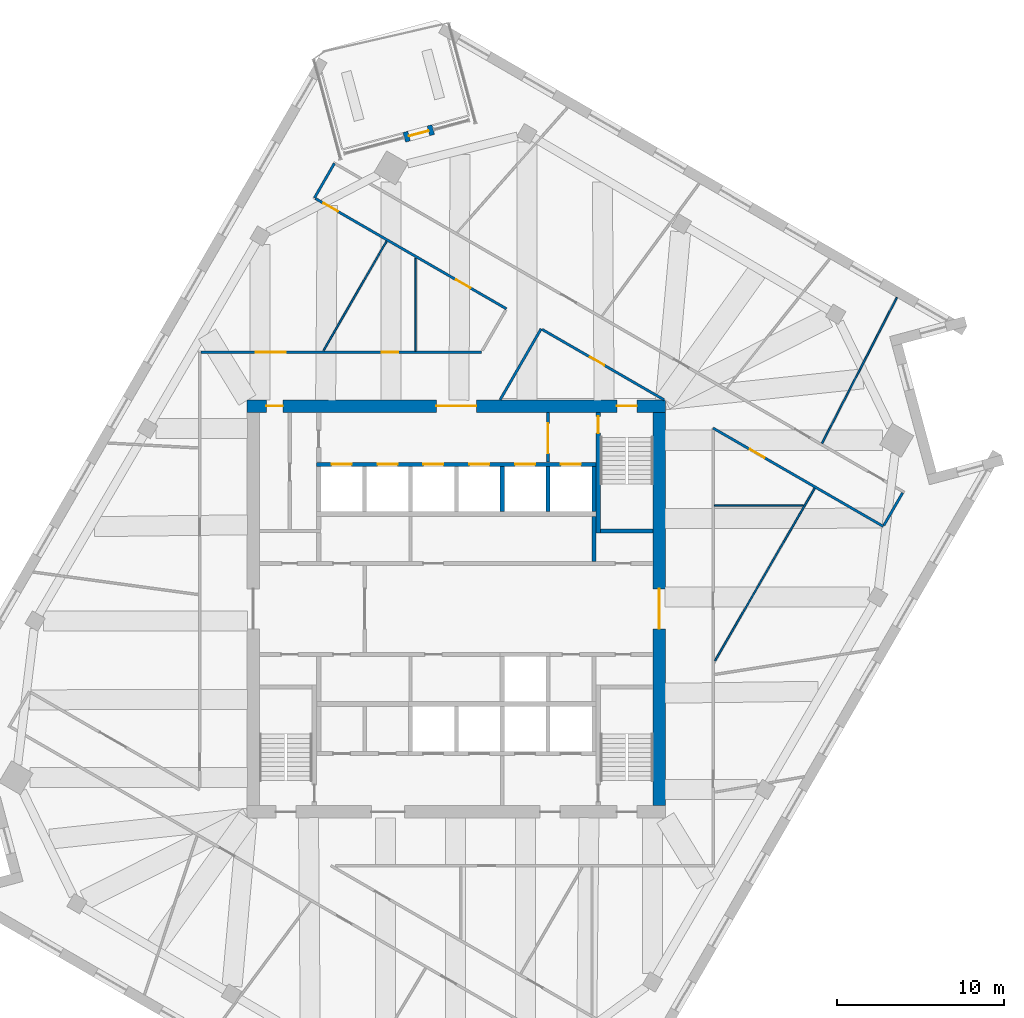
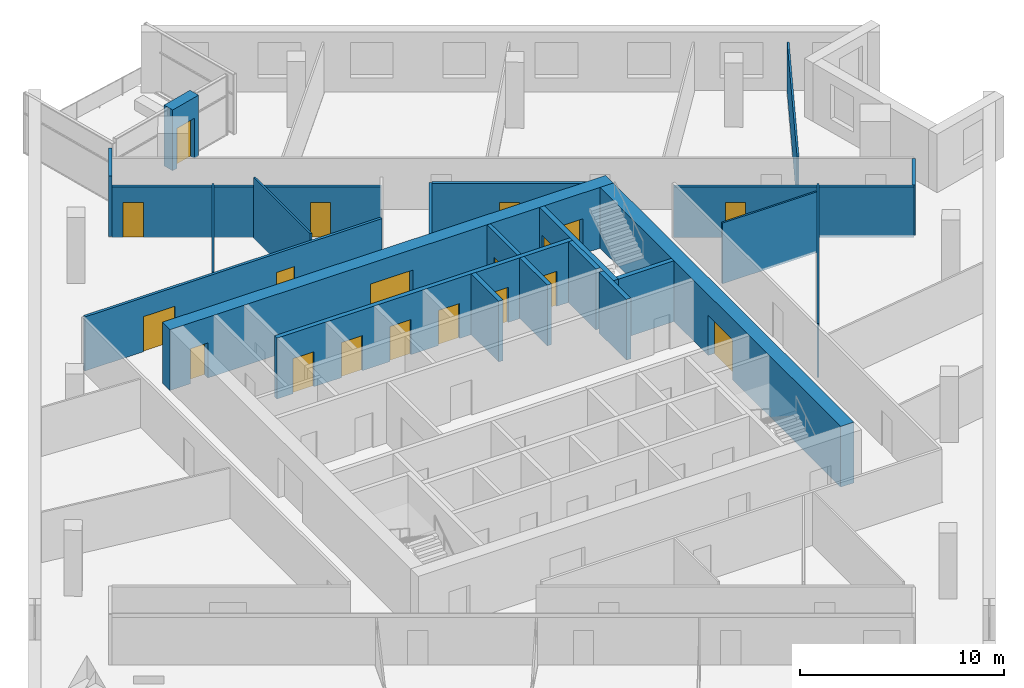
# One storey, part 10 of 13: 23 walls, 19 doors, 19 openings.
"""IFC4 building model written with IfcOpenShell, lengths in metres."""

from ifc_helpers import new_model, si_unit, direction, frame, frame_2d, origin, place, context, subcontext, project, spatial, rectangle, extrude, material, layer, layer_set, type_object, element, fill, save


model = new_model("IFC4")

# Units and contexts
model_context = context("Model", 3, precision=1e-05, world=origin(), true_north=direction((0.0, 1.0)))
body_context = subcontext(model_context, "Body", "Model", "MODEL_VIEW")
ifc_project = project(units=[si_unit("LENGTHUNIT", "METRE"), si_unit("AREAUNIT", "SQUARE_METRE"), si_unit("VOLUMEUNIT", "CUBIC_METRE"), si_unit("PLANEANGLEUNIT", "RADIAN"), si_unit("MASSUNIT", "GRAM", prefix="KILO")], contexts=[model_context])

# Site, building, storey
site_placement = place(None, origin())
site = spatial("IfcSite", under=ifc_project, at=site_placement, CompositionType="ELEMENT")
building_placement = place(site_placement, origin())
building = spatial("IfcBuilding", under=site, at=building_placement, Name="Dilmun Exchange Tower", CompositionType="ELEMENT")
storey_placement = place(building_placement, frame((0.0, 0.0, 262.89990234375)))
storey = spatial("IfcBuildingStorey", under=building, at=storey_placement, Name="L62", CompositionType="ELEMENT", Elevation=262.89990234375)

# Wall, opening, door
ifc_material_1 = material(Name="Concrete C40/50", Category="concrete")
ifc_layer_1 = layer(ifc_material_1, 0.199951171875)
ifc_layer_set_1 = layer_set([ifc_layer_1], Name="Concrete C40/50")
wall_type_1 = type_object("IfcWallType", Name="Core partition wall 200", PredefinedType="PARTITIONING", material=ifc_layer_set_1)
wall_1_placement = place(storey_placement, frame((5.5, 8.804931640625, 0.0), z_axis=(0.0, 0.0, 1.0), x_axis=(0.0, 1.0, 0.0)))
wall_1 = element("IfcWall", 1, at=wall_1_placement, inside=storey, type_object=wall_type_1, Name="L62 core partition wall 20", PredefinedType="PARTITIONING", context=body_context, shape_type="SweptSolid", body=[
    extrude(rectangle(XDim=2.989990234375, YDim=0.199951171875, at=frame_2d((1.4951171875, 0.0))), origin(), (0.0, 0.0, 1.0), 3.64013671875),
])
opening_1_placement = place(wall_1_placement, frame((0.532470703125, 0.0, 0.0)))
opening_1 = element("IfcOpeningElement", 2, at=opening_1_placement, cuts=wall_1, Name="Opening CD5", PredefinedType="OPENING", context=body_context, shape_type="SweptSolid", body=[
    extrude(rectangle(XDim=1.800048828125, YDim=2.10009765625, at=frame_2d((0.89990234375, 1.050048828125))), frame((0.0, 0.10986328125, 0.0), z_axis=(0.0, -1.0, 0.0), x_axis=(1.0, 0.0, 0.0)), (0.0, 0.0, 1.0), 0.219970703125),
])
ifc_material_2 = material(Name="Fire-rated steel door set", Category="steel")
door_type_1 = type_object("IfcDoorType", Name="Stair exit door 1800x2100", OperationType="SINGLE_SWING_LEFT", PredefinedType="DOOR", material=ifc_material_2)
door_1_placement = place(opening_1_placement, origin())
door_1 = element("IfcDoor", 3, at=door_1_placement, inside=storey, type_object=door_type_1, Name="L62 door Lift lobby east", OperationType="SINGLE_SWING_LEFT", OverallHeight=2.10009765625, OverallWidth=1.800048828125, PredefinedType="DOOR", context=body_context, shape_type="SweptSolid", body=[
    extrude(rectangle(XDim=1.800048828125, YDim=2.10009765625, at=frame_2d((0.89990234375, 1.050048828125))), frame((0.0, 0.02490234375, 0.0), z_axis=(0.0, -1.0, 0.0), x_axis=(1.0, 0.0, 0.0)), (0.0, 0.0, 1.0), 0.050048828125),
])
fill(opening_1, door_1)

# Wall
ifc_layer_2 = layer(ifc_material_1, 0.25)
ifc_layer_set_2 = layer_set([ifc_layer_2], Name="Concrete C40/50")
wall_type_2 = type_object("IfcWallType", Name="Core partition wall 250", PredefinedType="PARTITIONING", material=ifc_layer_set_2)
wall_2_placement = place(storey_placement, frame((8.25, 2.85498046875, 0.0), z_axis=(0.0, 0.0, 1.0), x_axis=(0.0, 1.0, 0.0)))
element("IfcWall", 4, at=wall_2_placement, inside=storey, type_object=wall_type_2, Name="L62 core partition wall 15", PredefinedType="PARTITIONING", context=body_context, shape_type="SweptSolid", body=[
    extrude(rectangle(XDim=2.68994140625, YDim=0.25, at=frame_2d((1.344970703125, 0.0))), origin(), (0.0, 0.0, 1.0), 3.64013671875),
])

# Wall, openings, doors
ifc_material_3 = material(Name="Concrete C50/60", Category="concrete")
ifc_layer_3 = layer(ifc_material_3, 0.75)
ifc_layer_set_3 = layer_set([ifc_layer_3], Name="Concrete C50/60")
wall_type_3 = type_object("IfcWallType", Name="Core shear wall 750 Concrete C50/60", PredefinedType="SHEAR", material=ifc_layer_set_3)
wall_3_placement = place(storey_placement, frame((-12.550048828125, 12.175048828125, 0.0), z_axis=(0.0, 0.0, 1.0), x_axis=(1.0, 0.0, 0.0)))
wall_3 = element("IfcWall", 5, at=wall_3_placement, inside=storey, type_object=wall_type_3, Name="L62 core shear wall N", PredefinedType="SHEAR", context=body_context, shape_type="SweptSolid", body=[
    extrude(rectangle(XDim=25.10009765625, YDim=0.75, at=frame_2d((12.550048828125, 0.0))), origin(), (0.0, 0.0, 1.0), 3.64013671875),
])
opening_2_placement = place(wall_3_placement, frame((11.35009765625, 0.0, 0.0)))
opening_2 = element("IfcOpeningElement", 6, at=opening_2_placement, cuts=wall_3, Name="Opening CD1", PredefinedType="OPENING", context=body_context, shape_type="SweptSolid", body=[
    extrude(rectangle(XDim=2.39990234375, YDim=2.39990234375, at=frame_2d((1.199951171875, 1.199951171875))), frame((0.0, 0.385009765625, 0.0), z_axis=(0.0, -1.0, 0.0), x_axis=(1.0, 0.0, 0.0)), (0.0, 0.0, 1.0), 0.77001953125),
])
opening_3_placement = place(wall_3_placement, frame((22.175048828125, 0.0, 0.0)))
opening_3 = element("IfcOpeningElement", 7, at=opening_3_placement, cuts=wall_3, Name="Opening CD3", PredefinedType="OPENING", context=body_context, shape_type="SweptSolid", body=[
    extrude(rectangle(XDim=1.199951171875, YDim=2.10009765625, at=frame_2d((0.60009765625, 1.050048828125))), frame((0.0, 0.385009765625, 0.0), z_axis=(0.0, -1.0, 0.0), x_axis=(1.0, 0.0, 0.0)), (0.0, 0.0, 1.0), 0.77001953125),
])
opening_4_placement = place(wall_3_placement, frame((1.14990234375, 0.0, 0.0)))
opening_4 = element("IfcOpeningElement", 8, at=opening_4_placement, cuts=wall_3, Name="Opening CD4", PredefinedType="OPENING", context=body_context, shape_type="SweptSolid", body=[
    extrude(rectangle(XDim=1.0, YDim=2.10009765625, at=frame_2d((0.5, 1.050048828125))), frame((0.0, 0.385009765625, 0.0), z_axis=(0.0, -1.0, 0.0), x_axis=(1.0, 0.0, 0.0)), (0.0, 0.0, 1.0), 0.77001953125),
])
door_type_2 = type_object("IfcDoorType", Name="Core lobby door 2400x2400", OperationType="DOUBLE_DOOR_DOUBLE_SWING", PredefinedType="DOOR", material=ifc_material_2)
door_2_placement = place(opening_2_placement, origin())
door_2 = element("IfcDoor", 9, at=door_2_placement, inside=storey, type_object=door_type_2, Name="L62 door North lift lobby", OperationType="SINGLE_SWING_LEFT", OverallHeight=2.39990234375, OverallWidth=2.39990234375, PredefinedType="DOOR", context=body_context, shape_type="SweptSolid", body=[
    extrude(rectangle(XDim=2.39990234375, YDim=2.39990234375, at=frame_2d((1.199951171875, 1.199951171875))), frame((0.0, 0.02490234375, 0.0), z_axis=(0.0, -1.0, 0.0), x_axis=(1.0, 0.0, 0.0)), (0.0, 0.0, 1.0), 0.050048828125),
])
fill(opening_2, door_2)
door_type_3 = type_object("IfcDoorType", Name="Core room door 1000x2100", OperationType="SINGLE_SWING_LEFT", PredefinedType="DOOR", material=ifc_material_2)
door_3_placement = place(opening_4_placement, origin())
door_3 = element("IfcDoor", 10, at=door_3_placement, inside=storey, type_object=door_type_3, Name="L62 door North-west core rooms", OperationType="SINGLE_SWING_LEFT", OverallHeight=2.10009765625, OverallWidth=1.0, PredefinedType="DOOR", context=body_context, shape_type="SweptSolid", body=[
    extrude(rectangle(XDim=1.0, YDim=2.10009765625, at=frame_2d((0.5, 1.050048828125))), frame((0.0, 0.02490234375, 0.0), z_axis=(0.0, -1.0, 0.0), x_axis=(1.0, 0.0, 0.0)), (0.0, 0.0, 1.0), 0.050048828125),
])
fill(opening_4, door_3)
door_type_4 = type_object("IfcDoorType", Name="Stair exit door 1200x2100", OperationType="SINGLE_SWING_LEFT", PredefinedType="DOOR", material=ifc_material_2)
door_4_placement = place(opening_3_placement, origin())
door_4 = element("IfcDoor", 11, at=door_4_placement, inside=storey, type_object=door_type_4, Name="L62 door Stair ST1", OperationType="SINGLE_SWING_LEFT", OverallHeight=2.10009765625, OverallWidth=1.199951171875, PredefinedType="DOOR", context=body_context, shape_type="SweptSolid", body=[
    extrude(rectangle(XDim=1.199951171875, YDim=2.10009765625, at=frame_2d((0.60009765625, 1.050048828125))), frame((0.0, 0.02490234375, 0.0), z_axis=(0.0, -1.0, 0.0), x_axis=(1.0, 0.0, 0.0)), (0.0, 0.0, 1.0), 0.050048828125),
])
fill(opening_3, door_4)

# Wall, opening, door
wall_4_placement = place(storey_placement, frame((12.175048828125, -11.800048828125, 0.0), z_axis=(0.0, 0.0, 1.0), x_axis=(0.0, 1.0, 0.0)))
wall_4 = element("IfcWall", 12, at=wall_4_placement, inside=storey, type_object=wall_type_3, Name="L62 core shear wall E", PredefinedType="SHEAR", context=body_context, shape_type="SweptSolid", body=[
    extrude(rectangle(XDim=23.60009765625, YDim=0.75, at=frame_2d((11.800048828125, 0.0))), origin(), (0.0, 0.0, 1.0), 3.64013671875),
])
opening_5_placement = place(wall_4_placement, frame((10.60009765625, 0.0, 0.0)))
opening_5 = element("IfcOpeningElement", 13, at=opening_5_placement, cuts=wall_4, Name="Opening CD1", PredefinedType="OPENING", context=body_context, shape_type="SweptSolid", body=[
    extrude(rectangle(XDim=2.39990234375, YDim=2.39990234375, at=frame_2d((1.199951171875, 1.199951171875))), frame((0.0, 0.385009765625, 0.0), z_axis=(0.0, -1.0, 0.0), x_axis=(1.0, 0.0, 0.0)), (0.0, 0.0, 1.0), 0.77001953125),
])
door_5_placement = place(opening_5_placement, origin())
door_5 = element("IfcDoor", 14, at=door_5_placement, inside=storey, type_object=door_type_2, Name="L62 door Central lift lobby", OperationType="SINGLE_SWING_LEFT", OverallHeight=2.39990234375, OverallWidth=2.39990234375, PredefinedType="DOOR", context=body_context, shape_type="SweptSolid", body=[
    extrude(rectangle(XDim=2.39990234375, YDim=2.39990234375, at=frame_2d((1.199951171875, 1.199951171875))), frame((0.0, 0.02490234375, 0.0), z_axis=(0.0, -1.0, 0.0), x_axis=(1.0, 0.0, 0.0)), (0.0, 0.0, 1.0), 0.050048828125),
])
fill(opening_5, door_5)

# Wall, openings, doors
ifc_material_4 = material(Name="Corridor wall 150")
ifc_layer_4 = layer(ifc_material_4, 0.14990234375)
ifc_layer_set_4 = layer_set([ifc_layer_4], Name="Corridor wall 150")
wall_type_4 = type_object("IfcWallType", Name="Corridor wall 150", PredefinedType="PARTITIONING", material=ifc_layer_set_4)
wall_5_placement = place(storey_placement, frame((-15.324951171875, 15.39990234375, 0.0), z_axis=(0.0, 0.0, 1.0), x_axis=(1.0, 0.0, 0.0)))
wall_5 = element("IfcWall", 15, at=wall_5_placement, inside=storey, type_object=wall_type_4, Name="Corridor wall", PredefinedType="PARTITIONING", context=body_context, shape_type="SweptSolid", body=[
    extrude(rectangle(XDim=16.825927734375, YDim=0.14990234375, at=frame_2d((8.4130859375, 0.0))), origin(), (0.0, 0.0, 1.0), 3.239990234375),
])
opening_6_placement = place(wall_5_placement, frame((3.300048828125, 0.0, 0.0)))
opening_6 = element("IfcOpeningElement", 16, at=opening_6_placement, cuts=wall_5, Name="Opening TF62-D06", PredefinedType="OPENING", context=body_context, shape_type="SweptSolid", body=[
    extrude(rectangle(XDim=1.800048828125, YDim=2.10009765625, at=frame_2d((0.89990234375, 1.050048828125))), frame((0.0, 0.0849609375, 0.0), z_axis=(0.0, -1.0, 0.0), x_axis=(1.0, 0.0, 0.0)), (0.0, 0.0, 1.0), 0.169921875),
])
opening_7_placement = place(wall_5_placement, frame((10.84619140625, 0.0, 0.0)))
opening_7 = element("IfcOpeningElement", 17, at=opening_7_placement, cuts=wall_5, Name="Opening TF62-D08", PredefinedType="OPENING", context=body_context, shape_type="SweptSolid", body=[
    extrude(rectangle(XDim=1.0, YDim=2.10009765625, at=frame_2d((0.5, 1.050048828125))), frame((0.0, 0.0849609375, 0.0), z_axis=(0.0, -1.0, 0.0), x_axis=(1.0, 0.0, 0.0)), (0.0, 0.0, 1.0), 0.169921875),
])
ifc_material_5 = material(Name="Fire door 1000 x 2100")
door_type_5 = type_object("IfcDoorType", Name="Fire door 1000 x 2100", OperationType="NOTDEFINED", PredefinedType="DOOR", material=ifc_material_5)
door_6_placement = place(opening_7_placement, origin())
door_6 = element("IfcDoor", 18, at=door_6_placement, inside=storey, type_object=door_type_5, Name="Door TF62-D08", OperationType="SINGLE_SWING_RIGHT", OverallHeight=2.10009765625, OverallWidth=1.0, PredefinedType="DOOR", context=body_context, shape_type="SweptSolid", body=[
    extrude(rectangle(XDim=1.0, YDim=2.10009765625, at=frame_2d((0.5, 1.050048828125))), frame((0.0, 0.02490234375, 0.0), z_axis=(0.0, -1.0, 0.0), x_axis=(1.0, 0.0, 0.0)), (0.0, 0.0, 1.0), 0.050048828125),
])
fill(opening_7, door_6)
ifc_material_6 = material(Name="Fire door pair 1800 x 2100")
door_type_6 = type_object("IfcDoorType", Name="Fire door pair 1800 x 2100", OperationType="NOTDEFINED", PredefinedType="DOOR", material=ifc_material_6)
door_7_placement = place(opening_6_placement, origin())
door_7 = element("IfcDoor", 19, at=door_7_placement, inside=storey, type_object=door_type_6, Name="Door TF62-D06", OperationType="DOUBLE_DOOR_SINGLE_SWING", OverallHeight=2.10009765625, OverallWidth=1.800048828125, PredefinedType="DOOR", context=body_context, shape_type="SweptSolid", body=[
    extrude(rectangle(XDim=1.800048828125, YDim=2.10009765625, at=frame_2d((0.89990234375, 1.050048828125))), frame((0.0, 0.02490234375, 0.0), z_axis=(0.0, -1.0, 0.0), x_axis=(1.0, 0.0, 0.0)), (0.0, 0.0, 1.0), 0.050048828125),
])
fill(opening_6, door_7)

# Wall
wall_6_placement = place(storey_placement, frame((-8.511962890625, 24.656005859375, 0.0), z_axis=(0.0, 0.0, 1.0), x_axis=(0.499869187296, 0.866100915363, 0.0)))
element("IfcWall", 20, at=wall_6_placement, inside=storey, type_object=wall_type_4, Name="Corridor wall", PredefinedType="PARTITIONING", context=body_context, shape_type="SweptSolid", body=[
    extrude(rectangle(XDim=2.400634765625, YDim=0.14990234375, at=frame_2d((1.2001953125, 0.0))), origin(), (0.0, 0.0, 1.0), 3.64013671875),
])

# Wall, openings, doors
wall_7_placement = place(storey_placement, frame((-8.447021484375, 24.618408203125, 0.0), z_axis=(0.0, 0.0, 1.0), x_axis=(0.866030646256, -0.499990919662, 0.0)))
wall_7 = element("IfcWall", 21, at=wall_7_placement, inside=storey, type_object=wall_type_4, Name="Corridor wall", PredefinedType="PARTITIONING", context=body_context, shape_type="SweptSolid", body=[
    extrude(rectangle(XDim=13.224853515625, YDim=0.14990234375, at=frame_2d((6.6123046875, 0.0))), origin(), (0.0, 0.0, 1.0), 3.0400390625),
])
opening_8_placement = place(wall_7_placement, frame((0.550048828125, 0.0, 0.0)))
opening_8 = element("IfcOpeningElement", 22, at=opening_8_placement, cuts=wall_7, Name="Opening TF62-D07", PredefinedType="OPENING", context=body_context, shape_type="SweptSolid", body=[
    extrude(rectangle(XDim=1.0, YDim=2.10009765625, at=frame_2d((0.5, 1.050048828125))), frame((0.0, 0.0849609375, 0.0), z_axis=(0.0, -1.0, 0.0), x_axis=(1.0, 0.0, 0.0)), (0.0, 0.0, 1.0), 0.169921875),
])
opening_9_placement = place(wall_7_placement, frame((9.734619140625, 0.0, 0.0)))
opening_9 = element("IfcOpeningElement", 23, at=opening_9_placement, cuts=wall_7, Name="Opening TF62-D10", PredefinedType="OPENING", context=body_context, shape_type="SweptSolid", body=[
    extrude(rectangle(XDim=1.0, YDim=2.10009765625, at=frame_2d((0.5, 1.050048828125))), frame((0.0, 0.0849609375, 0.0), z_axis=(0.0, -1.0, 0.0), x_axis=(1.0, 0.0, 0.0)), (0.0, 0.0, 1.0), 0.169921875),
])
door_8_placement = place(opening_8_placement, frame((1.0, 0.0, 0.0), z_axis=(0.0, 0.0, 1.0), x_axis=(-1.0, 0.0, 0.0)))
door_8 = element("IfcDoor", 24, at=door_8_placement, inside=storey, type_object=door_type_5, Name="Door TF62-D07", OperationType="SINGLE_SWING_LEFT", OverallHeight=2.10009765625, OverallWidth=1.0, PredefinedType="DOOR", context=body_context, shape_type="SweptSolid", body=[
    extrude(rectangle(XDim=1.0, YDim=2.10009765625, at=frame_2d((0.5, 1.050048828125))), frame((0.0, 0.02490234375, 0.0), z_axis=(0.0, -1.0, 0.0), x_axis=(1.0, 0.0, 0.0)), (0.0, 0.0, 1.0), 0.050048828125),
])
fill(opening_8, door_8)
door_9_placement = place(opening_9_placement, frame((1.0, 0.0, 0.0), z_axis=(0.0, 0.0, 1.0), x_axis=(-1.0, 0.0, 0.0)))
door_9 = element("IfcDoor", 25, at=door_9_placement, inside=storey, type_object=door_type_5, Name="Door TF62-D10", OperationType="SINGLE_SWING_LEFT", OverallHeight=2.10009765625, OverallWidth=1.0, PredefinedType="DOOR", context=body_context, shape_type="SweptSolid", body=[
    extrude(rectangle(XDim=1.0, YDim=2.10009765625, at=frame_2d((0.5, 1.050048828125))), frame((0.0, 0.02490234375, 0.0), z_axis=(0.0, -1.0, 0.0), x_axis=(1.0, 0.0, 0.0)), (0.0, 0.0, 1.0), 0.050048828125),
])
fill(opening_9, door_9)

# Wall
wall_8_placement = place(storey_placement, frame((2.626953125, 12.550048828125, 0.0), z_axis=(0.0, 0.0, 1.0), x_axis=(0.50013524008, 0.865947308807, 0.0)))
element("IfcWall", 26, at=wall_8_placement, inside=storey, type_object=wall_type_4, Name="Corridor wall", PredefinedType="PARTITIONING", context=body_context, shape_type="SweptSolid", body=[
    extrude(rectangle(XDim=4.914794921875, YDim=0.14990234375, at=frame_2d((2.45751953125, 0.0))), origin(), (0.0, 0.0, 1.0), 3.239990234375),
])

# Wall, opening, door
wall_9_placement = place(storey_placement, frame((5.14990234375, 16.7685546875, 0.0), z_axis=(0.0, 0.0, 1.0), x_axis=(0.866010168016, -0.500026388196, 0.0)))
wall_9 = element("IfcWall", 27, at=wall_9_placement, inside=storey, type_object=wall_type_4, Name="Corridor wall", PredefinedType="PARTITIONING", context=body_context, shape_type="SweptSolid", body=[
    extrude(rectangle(XDim=8.4365234375, YDim=0.14990234375, at=frame_2d((4.21826171875, 0.0))), origin(), (0.0, 0.0, 1.0), 3.239990234375),
])
opening_10_placement = place(wall_9_placement, frame((3.300048828125, 0.0, 0.0)))
opening_10 = element("IfcOpeningElement", 28, at=opening_10_placement, cuts=wall_9, Name="Opening TF62-D13", PredefinedType="OPENING", context=body_context, shape_type="SweptSolid", body=[
    extrude(rectangle(XDim=1.0, YDim=2.10009765625, at=frame_2d((0.5, 1.050048828125))), frame((0.0, 0.0849609375, 0.0), z_axis=(0.0, -1.0, 0.0), x_axis=(1.0, 0.0, 0.0)), (0.0, 0.0, 1.0), 0.169921875),
])
door_10_placement = place(opening_10_placement, frame((1.0, 0.0, 0.0), z_axis=(0.0, 0.0, 1.0), x_axis=(-1.0, 0.0, 0.0)))
door_10 = element("IfcDoor", 29, at=door_10_placement, inside=storey, type_object=door_type_5, Name="Door TF62-D13", OperationType="SINGLE_SWING_RIGHT", OverallHeight=2.10009765625, OverallWidth=1.0, PredefinedType="DOOR", context=body_context, shape_type="SweptSolid", body=[
    extrude(rectangle(XDim=1.0, YDim=2.10009765625, at=frame_2d((0.5, 1.050048828125))), frame((0.0, 0.02490234375, 0.0), z_axis=(0.0, -1.0, 0.0), x_axis=(1.0, 0.0, 0.0)), (0.0, 0.0, 1.0), 0.050048828125),
])
fill(opening_10, door_10)

wall_10_placement = place(storey_placement, frame((15.39990234375, 10.85107421875, 0.0), z_axis=(0.0, 0.0, 1.0), x_axis=(0.865993826089, -0.500054690184, 0.0)))
wall_10 = element("IfcWall", 30, at=wall_10_placement, inside=storey, type_object=wall_type_4, Name="Corridor wall", PredefinedType="PARTITIONING", context=body_context, shape_type="SweptSolid", body=[
    extrude(rectangle(XDim=11.788818359375, YDim=0.14990234375, at=frame_2d((5.89453125, 0.0))), origin(), (0.0, 0.0, 1.0), 3.0400390625),
])
opening_11_placement = place(wall_10_placement, frame((2.55029296875, 0.0, 0.0)))
opening_11 = element("IfcOpeningElement", 31, at=opening_11_placement, cuts=wall_10, Name="Opening TF62-D19", PredefinedType="OPENING", context=body_context, shape_type="SweptSolid", body=[
    extrude(rectangle(XDim=1.0, YDim=2.10009765625, at=frame_2d((0.5, 1.050048828125))), frame((0.0, 0.0849609375, 0.0), z_axis=(0.0, -1.0, 0.0), x_axis=(1.0, 0.0, 0.0)), (0.0, 0.0, 1.0), 0.169921875),
])
door_11_placement = place(opening_11_placement, frame((1.0, 0.0, 0.0), z_axis=(0.0, 0.0, 1.0), x_axis=(-1.0, 0.0, 0.0)))
door_11 = element("IfcDoor", 32, at=door_11_placement, inside=storey, type_object=door_type_5, Name="Door TF62-D19", OperationType="SINGLE_SWING_LEFT", OverallHeight=2.10009765625, OverallWidth=1.0, PredefinedType="DOOR", context=body_context, shape_type="SweptSolid", body=[
    extrude(rectangle(XDim=1.0, YDim=2.10009765625, at=frame_2d((0.5, 1.050048828125))), frame((0.0, 0.02490234375, 0.0), z_axis=(0.0, -1.0, 0.0), x_axis=(1.0, 0.0, 0.0)), (0.0, 0.0, 1.0), 0.050048828125),
])
fill(opening_11, door_11)

# Wall
wall_11_placement = place(storey_placement, frame((25.646484375, 5.02099609375, 0.0), z_axis=(0.0, 0.0, 1.0), x_axis=(0.499919672301, 0.866071776036, 0.0)))
element("IfcWall", 33, at=wall_11_placement, inside=storey, type_object=wall_type_4, Name="Corridor wall", PredefinedType="PARTITIONING", context=body_context, shape_type="SweptSolid", body=[
    extrude(rectangle(XDim=2.250244140625, YDim=0.14990234375, at=frame_2d((1.125, 0.0))), origin(), (0.0, 0.0, 1.0), 3.0400390625),
])

# Wall, openings, doors
ifc_layer_5 = layer(ifc_material_1, 0.25)
ifc_layer_set_5 = layer_set([ifc_layer_5], Name="Concrete C40/50")
wall_type_5 = type_object("IfcWallType", Name="Lift shaft wall 250", PredefinedType="SOLIDWALL", material=ifc_layer_set_5)
wall_12_placement = place(storey_placement, frame((-8.375, 8.675048828125, 0.0), z_axis=(0.0, 0.0, 1.0), x_axis=(1.0, 0.0, 0.0)))
wall_12 = element("IfcWall", 34, at=wall_12_placement, inside=storey, type_object=wall_type_5, Name="L62 lift shaft front wall N2", PredefinedType="SOLIDWALL", context=body_context, shape_type="SweptSolid", body=[
    extrude(rectangle(XDim=16.75, YDim=0.25, at=frame_2d((8.375, 0.0))), origin(), (0.0, 0.0, 1.0), 3.64013671875),
])
opening_12_placement = place(wall_12_placement, frame((0.89990234375, 0.0, 0.0)))
opening_12 = element("IfcOpeningElement", 35, at=opening_12_placement, cuts=wall_12, Name="Opening LD", PredefinedType="OPENING", context=body_context, shape_type="SweptSolid", body=[
    extrude(rectangle(XDim=1.199951171875, YDim=2.10009765625, at=frame_2d((0.60009765625, 1.050048828125))), frame((0.0, 0.135009765625, 0.0), z_axis=(0.0, -1.0, 0.0), x_axis=(1.0, 0.0, 0.0)), (0.0, 0.0, 1.0), 0.27001953125),
])
opening_13_placement = place(wall_12_placement, frame((3.64990234375, 0.0, 0.0)))
opening_13 = element("IfcOpeningElement", 36, at=opening_13_placement, cuts=wall_12, Name="Opening LD", PredefinedType="OPENING", context=body_context, shape_type="SweptSolid", body=[
    extrude(rectangle(XDim=1.199951171875, YDim=2.10009765625, at=frame_2d((0.60009765625, 1.050048828125))), frame((0.0, 0.135009765625, 0.0), z_axis=(0.0, -1.0, 0.0), x_axis=(1.0, 0.0, 0.0)), (0.0, 0.0, 1.0), 0.27001953125),
])
opening_14_placement = place(wall_12_placement, frame((6.39990234375, 0.0, 0.0)))
opening_14 = element("IfcOpeningElement", 37, at=opening_14_placement, cuts=wall_12, Name="Opening LD", PredefinedType="OPENING", context=body_context, shape_type="SweptSolid", body=[
    extrude(rectangle(XDim=1.199951171875, YDim=2.10009765625, at=frame_2d((0.60009765625, 1.050048828125))), frame((0.0, 0.135009765625, 0.0), z_axis=(0.0, -1.0, 0.0), x_axis=(1.0, 0.0, 0.0)), (0.0, 0.0, 1.0), 0.27001953125),
])
opening_15_placement = place(wall_12_placement, frame((9.14990234375, 0.0, 0.0)))
opening_15 = element("IfcOpeningElement", 38, at=opening_15_placement, cuts=wall_12, Name="Opening LD", PredefinedType="OPENING", context=body_context, shape_type="SweptSolid", body=[
    extrude(rectangle(XDim=1.199951171875, YDim=2.10009765625, at=frame_2d((0.60009765625, 1.050048828125))), frame((0.0, 0.135009765625, 0.0), z_axis=(0.0, -1.0, 0.0), x_axis=(1.0, 0.0, 0.0)), (0.0, 0.0, 1.0), 0.27001953125),
])
opening_16_placement = place(wall_12_placement, frame((11.89990234375, 0.0, 0.0)))
opening_16 = element("IfcOpeningElement", 39, at=opening_16_placement, cuts=wall_12, Name="Opening LD", PredefinedType="OPENING", context=body_context, shape_type="SweptSolid", body=[
    extrude(rectangle(XDim=1.199951171875, YDim=2.10009765625, at=frame_2d((0.60009765625, 1.050048828125))), frame((0.0, 0.135009765625, 0.0), z_axis=(0.0, -1.0, 0.0), x_axis=(1.0, 0.0, 0.0)), (0.0, 0.0, 1.0), 0.27001953125),
])
opening_17_placement = place(wall_12_placement, frame((14.64990234375, 0.0, 0.0)))
opening_17 = element("IfcOpeningElement", 40, at=opening_17_placement, cuts=wall_12, Name="Opening LD", PredefinedType="OPENING", context=body_context, shape_type="SweptSolid", body=[
    extrude(rectangle(XDim=1.199951171875, YDim=2.10009765625, at=frame_2d((0.60009765625, 1.050048828125))), frame((0.0, 0.135009765625, 0.0), z_axis=(0.0, -1.0, 0.0), x_axis=(1.0, 0.0, 0.0)), (0.0, 0.0, 1.0), 0.27001953125),
])
door_type_7 = type_object("IfcDoorType", Name="Lift landing door 1200x2100", OperationType="DOUBLE_DOOR_SLIDING", PredefinedType="DOOR", material=ifc_material_2)
door_12_placement = place(opening_12_placement, origin())
door_12 = element("IfcDoor", 41, at=door_12_placement, inside=storey, type_object=door_type_7, Name="L62 landing door HR1", OperationType="DOUBLE_DOOR_SLIDING", OverallHeight=2.10009765625, OverallWidth=1.199951171875, PredefinedType="DOOR", context=body_context, shape_type="SweptSolid", body=[
    extrude(rectangle(XDim=1.199951171875, YDim=2.10009765625, at=frame_2d((0.60009765625, 1.050048828125))), frame((0.0, 0.02490234375, 0.0), z_axis=(0.0, -1.0, 0.0), x_axis=(1.0, 0.0, 0.0)), (0.0, 0.0, 1.0), 0.050048828125),
])
fill(opening_12, door_12)
door_13_placement = place(opening_13_placement, origin())
door_13 = element("IfcDoor", 42, at=door_13_placement, inside=storey, type_object=door_type_7, Name="L62 landing door HR2", OperationType="DOUBLE_DOOR_SLIDING", OverallHeight=2.10009765625, OverallWidth=1.199951171875, PredefinedType="DOOR", context=body_context, shape_type="SweptSolid", body=[
    extrude(rectangle(XDim=1.199951171875, YDim=2.10009765625, at=frame_2d((0.60009765625, 1.050048828125))), frame((0.0, 0.02490234375, 0.0), z_axis=(0.0, -1.0, 0.0), x_axis=(1.0, 0.0, 0.0)), (0.0, 0.0, 1.0), 0.050048828125),
])
fill(opening_13, door_13)
door_14_placement = place(opening_14_placement, origin())
door_14 = element("IfcDoor", 43, at=door_14_placement, inside=storey, type_object=door_type_7, Name="L62 landing door HR3", OperationType="DOUBLE_DOOR_SLIDING", OverallHeight=2.10009765625, OverallWidth=1.199951171875, PredefinedType="DOOR", context=body_context, shape_type="SweptSolid", body=[
    extrude(rectangle(XDim=1.199951171875, YDim=2.10009765625, at=frame_2d((0.60009765625, 1.050048828125))), frame((0.0, 0.02490234375, 0.0), z_axis=(0.0, -1.0, 0.0), x_axis=(1.0, 0.0, 0.0)), (0.0, 0.0, 1.0), 0.050048828125),
])
fill(opening_14, door_14)
door_15_placement = place(opening_15_placement, origin())
door_15 = element("IfcDoor", 44, at=door_15_placement, inside=storey, type_object=door_type_7, Name="L62 landing door HR4", OperationType="DOUBLE_DOOR_SLIDING", OverallHeight=2.10009765625, OverallWidth=1.199951171875, PredefinedType="DOOR", context=body_context, shape_type="SweptSolid", body=[
    extrude(rectangle(XDim=1.199951171875, YDim=2.10009765625, at=frame_2d((0.60009765625, 1.050048828125))), frame((0.0, 0.02490234375, 0.0), z_axis=(0.0, -1.0, 0.0), x_axis=(1.0, 0.0, 0.0)), (0.0, 0.0, 1.0), 0.050048828125),
])
fill(opening_15, door_15)
door_16_placement = place(opening_16_placement, origin())
door_16 = element("IfcDoor", 45, at=door_16_placement, inside=storey, type_object=door_type_7, Name="L62 landing door HR5", OperationType="DOUBLE_DOOR_SLIDING", OverallHeight=2.10009765625, OverallWidth=1.199951171875, PredefinedType="DOOR", context=body_context, shape_type="SweptSolid", body=[
    extrude(rectangle(XDim=1.199951171875, YDim=2.10009765625, at=frame_2d((0.60009765625, 1.050048828125))), frame((0.0, 0.02490234375, 0.0), z_axis=(0.0, -1.0, 0.0), x_axis=(1.0, 0.0, 0.0)), (0.0, 0.0, 1.0), 0.050048828125),
])
fill(opening_16, door_16)
door_17_placement = place(opening_17_placement, origin())
door_17 = element("IfcDoor", 46, at=door_17_placement, inside=storey, type_object=door_type_7, Name="L62 landing door HR6", OperationType="DOUBLE_DOOR_SLIDING", OverallHeight=2.10009765625, OverallWidth=1.199951171875, PredefinedType="DOOR", context=body_context, shape_type="SweptSolid", body=[
    extrude(rectangle(XDim=1.199951171875, YDim=2.10009765625, at=frame_2d((0.60009765625, 1.050048828125))), frame((0.0, 0.02490234375, 0.0), z_axis=(0.0, -1.0, 0.0), x_axis=(1.0, 0.0, 0.0)), (0.0, 0.0, 1.0), 0.050048828125),
])
fill(opening_17, door_17)

# Walls
for number, where, z_axis, x_axis, name in (
    (47, (2.75, 5.85009765625, 0.0), (0.0, 0.0, 1.0), (0.0, 1.0, 0.0), "L62 lift shaft divider N24"),
    (48, (5.5, 5.85009765625, 0.0), (0.0, 0.0, 1.0), (0.0, 1.0, 0.0), "L62 lift shaft divider N25"),
    (49, (8.25, 5.85009765625, 0.0), (0.0, 0.0, 1.0), (0.0, 1.0, 0.0), "L62 lift shaft divider N26"),
):
    element("IfcWall", number, at=place(storey_placement, frame(where, z_axis=z_axis, x_axis=x_axis)), inside=storey, type_object=wall_type_5, Name=name, PredefinedType="SOLIDWALL", context=body_context, shape_type="SweptSolid", body=[
        extrude(rectangle(XDim=2.699951171875, YDim=0.25, at=frame_2d((1.35009765625, 0.0))), origin(), (0.0, 0.0, 1.0), 3.64013671875),
    ])
ifc_material_7 = material(Name="Partition 100")
ifc_layer_6 = layer(ifc_material_7, 0.10009765625)
ifc_layer_set_6 = layer_set([ifc_layer_6], Name="Partition 100")
wall_type_6 = type_object("IfcWallType", Name="Partition 100", PredefinedType="PARTITIONING", material=ifc_layer_set_6)
wall_13_placement = place(storey_placement, frame((-7.97119140625, 15.5, 0.0), z_axis=(0.0, 0.0, 1.0), x_axis=(0.499964887799, 0.866045674874, 0.0)))
element("IfcWall", 50, at=wall_13_placement, inside=storey, type_object=wall_type_6, Name="Partition", PredefinedType="PARTITIONING", context=body_context, shape_type="SweptSolid", body=[
    extrude(rectangle(XDim=7.583984375, YDim=0.10009765625, at=frame_2d((3.7919921875, 0.0))), origin(), (0.0, 0.0, 1.0), 3.239990234375),
])
wall_14_placement = place(storey_placement, frame((-2.44091796875, 15.47509765625, 0.0), z_axis=(0.0, 0.0, 1.0), x_axis=(0.0, 1.0, 0.0)))
element("IfcWall", 51, at=wall_14_placement, inside=storey, type_object=wall_type_6, Name="Partition", PredefinedType="PARTITIONING", context=body_context, shape_type="SweptSolid", body=[
    extrude(rectangle(XDim=5.560302734375, YDim=0.10009765625, at=frame_2d((2.7802734375, 0.0))), origin(), (0.0, 0.0, 1.0), 3.64013671875),
])
wall_15_placement = place(storey_placement, frame((15.47509765625, 6.199951171875, 0.0), z_axis=(0.0, 0.0, 1.0), x_axis=(1.0, 0.0, 0.0)))
element("IfcWall", 52, at=wall_15_placement, inside=storey, type_object=wall_type_6, Name="Partition", PredefinedType="PARTITIONING", context=body_context, shape_type="SweptSolid", body=[
    extrude(rectangle(XDim=5.330322265625, YDim=0.10009765625, at=frame_2d((2.6650390625, 0.0))), origin(), (0.0, 0.0, 1.0), 3.64013671875),
])
wall_16_placement = place(storey_placement, frame((15.518310546875, -3.108154296875, 0.0), z_axis=(0.0, 0.0, 1.0), x_axis=(0.499989387739, 0.866031530689, 0.0)))
element("IfcWall", 53, at=wall_16_placement, inside=storey, type_object=wall_type_6, Name="Partition", PredefinedType="PARTITIONING", context=body_context, shape_type="SweptSolid", body=[
    extrude(rectangle(XDim=11.954833984375, YDim=0.10009765625, at=frame_2d((5.9775390625, 0.0))), origin(), (0.0, 0.0, 1.0), 3.239990234375),
])
wall_17_placement = place(storey_placement, frame((21.936279296875, 9.93798828125, 0.0), z_axis=(0.0, 0.0, 1.0), x_axis=(0.456562052213, 0.889691571545, 0.0)))
element("IfcWall", 54, at=wall_17_placement, inside=storey, type_object=wall_type_6, Name="Partition", PredefinedType="PARTITIONING", context=body_context, shape_type="SweptSolid", body=[
    extrude(rectangle(XDim=9.83544921875, YDim=0.10009765625, at=frame_2d((4.917724609375, 0.0))), origin(), (0.0, 0.0, 1.0), 3.0400390625),
])

# Wall, opening, door
ifc_material_8 = material(Name="Precast concrete C50/60", Category="concrete")
ifc_layer_7 = layer(ifc_material_8, 0.60009765625)
ifc_layer_set_7 = layer_set([ifc_layer_7], Name="Precast concrete C50/60")
wall_type_7 = type_object("IfcWallType", Name="Precast stone-clad wall 600", PredefinedType="STANDARD", material=ifc_layer_set_7)
wall_18_placement = place(storey_placement, frame((-1.385498046875, 28.75732421875, 0.0), z_axis=(0.0, 0.0, 1.0), x_axis=(-0.965928071154, -0.258810667008, 0.0)))
wall_18 = element("IfcWall", 55, at=wall_18_placement, inside=storey, type_object=wall_type_7, Name="Facade wall L62-01-D", PredefinedType="STANDARD", context=body_context, shape_type="SweptSolid", body=[
    extrude(rectangle(XDim=1.7998046875, YDim=0.60009765625, at=frame_2d((0.89990234375, 0.0))), origin(), (0.0, 0.0, 1.0), 3.64013671875),
])
opening_18_placement = place(wall_18_placement, frame((0.300048828125, 0.0, 0.0)))
opening_18 = element("IfcOpeningElement", 56, at=opening_18_placement, cuts=wall_18, Name="Opening GD-1", PredefinedType="OPENING", context=body_context, shape_type="SweptSolid", body=[
    extrude(rectangle(XDim=1.199951171875, YDim=2.39990234375, at=frame_2d((0.60009765625, 1.199951171875))), frame((0.0, 0.31005859375, 0.0), z_axis=(0.0, -1.0, 0.0), x_axis=(1.0, 0.0, 0.0)), (0.0, 0.0, 1.0), 0.6201171875),
])
ifc_material_9 = material(Name="Clear low-emissivity glass in aluminium frame", Category="aluminium")
door_type_8 = type_object("IfcDoorType", Name="Glazed garden door 1200 x 2400", OperationType="SINGLE_SWING_LEFT", PredefinedType="DOOR", material=ifc_material_9)
door_18_placement = place(opening_18_placement, origin())
door_18 = element("IfcDoor", 57, at=door_18_placement, inside=storey, type_object=door_type_8, Name="Garden terrace door", OperationType="SINGLE_SWING_LEFT", OverallHeight=2.39990234375, OverallWidth=1.199951171875, PredefinedType="DOOR", context=body_context, shape_type="SweptSolid", body=[
    extrude(rectangle(XDim=1.199951171875, YDim=2.39990234375, at=frame_2d((0.60009765625, 1.199951171875))), frame((0.0, 0.02490234375, 0.0), z_axis=(0.0, -1.0, 0.0), x_axis=(1.0, 0.0, 0.0)), (0.0, 0.0, 1.0), 0.050048828125),
])
fill(opening_18, door_18)

# Wall
ifc_layer_8 = layer(ifc_material_1, 0.25)
ifc_layer_set_8 = layer_set([ifc_layer_8], Name="Concrete C40/50")
wall_type_8 = type_object("IfcWallType", Name="Stair end wall 250", PredefinedType="SOLIDWALL", material=ifc_layer_set_8)
wall_19_placement = place(storey_placement, frame((8.64990234375, 4.675048828125, 0.0), z_axis=(0.0, 0.0, 1.0), x_axis=(1.0, 0.0, 0.0)))
element("IfcWall", 58, at=wall_19_placement, inside=storey, type_object=wall_type_8, Name="L62 ST1 far wall", PredefinedType="SOLIDWALL", context=body_context, shape_type="SweptSolid", body=[
    extrude(rectangle(XDim=3.150146484375, YDim=0.25, at=frame_2d((1.5751953125, 0.0))), origin(), (0.0, 0.0, 1.0), 3.64013671875),
])

# Wall, opening, door
ifc_layer_9 = layer(ifc_material_1, 0.27490234375)
ifc_layer_set_9 = layer_set([ifc_layer_9], Name="Concrete C40/50")
wall_type_9 = type_object("IfcWallType", Name="Stair wall 275", PredefinedType="SOLIDWALL", material=ifc_layer_set_9)
wall_20_placement = place(storey_placement, frame((8.512451171875, 4.550048828125, 0.0), z_axis=(0.0, 0.0, 1.0), x_axis=(0.0, 1.0, 0.0)))
wall_20 = element("IfcWall", 59, at=wall_20_placement, inside=storey, type_object=wall_type_9, Name="L62 ST1 wall to lift block", PredefinedType="SOLIDWALL", context=body_context, shape_type="SweptSolid", body=[
    extrude(rectangle(XDim=7.25, YDim=0.27490234375, at=frame_2d((3.625, 0.0))), origin(), (0.0, 0.0, 1.0), 3.64013671875),
])
opening_19_placement = place(wall_20_placement, frame((6.0, 0.0, 0.0)))
opening_19 = element("IfcOpeningElement", 60, at=opening_19_placement, cuts=wall_20, Name="Opening CD4", PredefinedType="OPENING", context=body_context, shape_type="SweptSolid", body=[
    extrude(rectangle(XDim=1.0, YDim=2.10009765625, at=frame_2d((0.5, 1.050048828125))), frame((0.0, 0.1474609375, 0.0), z_axis=(0.0, -1.0, 0.0), x_axis=(1.0, 0.0, 0.0)), (0.0, 0.0, 1.0), 0.294921875),
])
door_19_placement = place(opening_19_placement, origin())
door_19 = element("IfcDoor", 61, at=door_19_placement, inside=storey, type_object=door_type_3, Name="L62 door ST1 from lobby", OperationType="SINGLE_SWING_LEFT", OverallHeight=2.10009765625, OverallWidth=1.0, PredefinedType="DOOR", context=body_context, shape_type="SweptSolid", body=[
    extrude(rectangle(XDim=1.0, YDim=2.10009765625, at=frame_2d((0.5, 1.050048828125))), frame((0.0, 0.02490234375, 0.0), z_axis=(0.0, -1.0, 0.0), x_axis=(1.0, 0.0, 0.0)), (0.0, 0.0, 1.0), 0.050048828125),
])
fill(opening_19, door_19)

save(model, "model.ifc")
